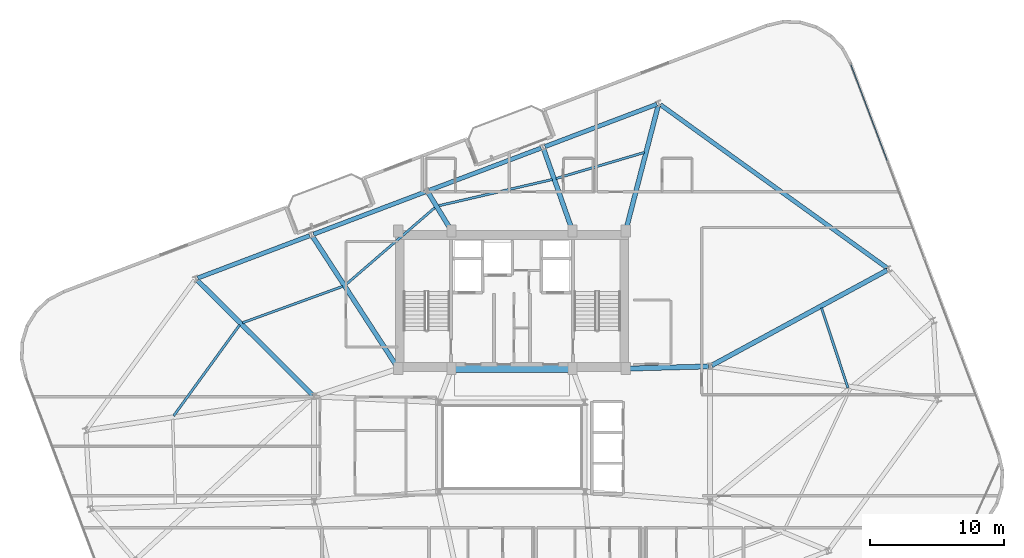
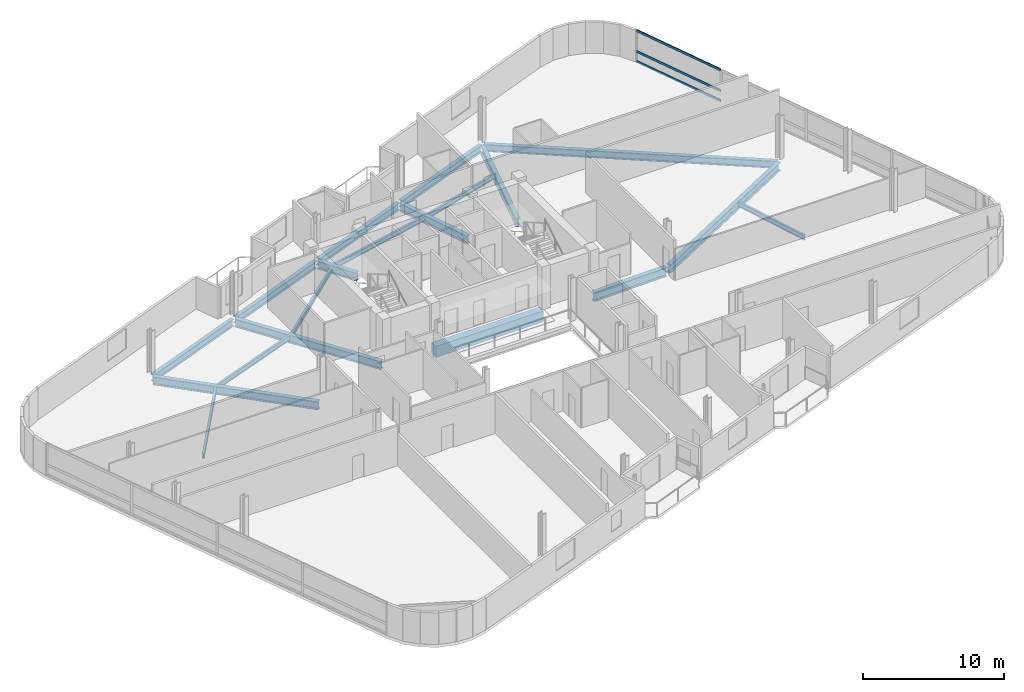
# One storey, part 11 of 24: 19 beams, 3 members, 1 element without a shape of its own.
"""IFC4 building model written with IfcOpenShell, lengths in metres."""

from ifc_helpers import new_model, si_unit, direction, frame, origin, origin_2d, place, context, subcontext, project, spatial, rectangle, hollow_rectangle, i_section, extrude, material, layer, layer_set, material_profile, profile_set, type_object, element, aggregate, save


model = new_model("IFC4")

# Units and contexts
model_context = context("Model", 3, precision=1e-05, world=origin(), true_north=direction((0.0, 1.0)))
body_context = subcontext(model_context, "Body", "Model", "MODEL_VIEW")
ifc_project = project(units=[si_unit("LENGTHUNIT", "METRE"), si_unit("AREAUNIT", "SQUARE_METRE"), si_unit("VOLUMEUNIT", "CUBIC_METRE"), si_unit("PLANEANGLEUNIT", "RADIAN"), si_unit("MASSUNIT", "GRAM", prefix="KILO")], contexts=[model_context])

# Site, building, storey
site_placement = place(None, origin())
site = spatial("IfcSite", under=ifc_project, at=site_placement, CompositionType="ELEMENT")
building_placement = place(site_placement, origin())
building = spatial("IfcBuilding", under=site, at=building_placement, Name="Varnelok Gate Tower", CompositionType="ELEMENT")
storey_placement = place(building_placement, frame((0.0, 0.0, 242.300048828125)))
storey = spatial("IfcBuildingStorey", under=building, at=storey_placement, Name="L62", CompositionType="ELEMENT", Elevation=242.300048828125)

# Beams
ifc_material_1 = material(Name="Structural Steel ASTM A992 Grade 50", Category="steel")
ifc_material_profile_1 = material_profile(ifc_material_1, i_section(OverallWidth=0.180908203125, OverallDepth=0.4169921875, WebThickness=0.010986328125, FlangeThickness=0.018310546875, FilletRadius=0.013916015625, at=origin_2d()), Name="W16X57")
ifc_profile_set_1 = profile_set([ifc_material_profile_1], Name="Structural Steel ASTM A992 Grade 50")
beam_type_1 = type_object("IfcBeamType", Name="BM-JST-W16X57", PredefinedType="JOIST", material=ifc_profile_set_1)
beam_1_placement = place(storey_placement, frame((64.3134765625, 27.315185546875, -0.45849609375), z_axis=(-0.314411260858, 0.949286868678, 0.0), x_axis=(-0.949286868678, -0.314411260858, 0.0)))
element("IfcBeam", 1, at=beam_1_placement, inside=storey, type_object=beam_type_1, Name="L62 Sector Floor Joist 6", PredefinedType="JOIST", context=body_context, shape_type="SweptSolid", body=[
    extrude(i_section(OverallWidth=0.180908203125, OverallDepth=0.4169921875, WebThickness=0.010986328125, FlangeThickness=0.018310546875, FilletRadius=0.013916015625, at=origin_2d()), origin(), (0.0, 0.0, 1.0), 6.2919921875),
])
beam_2_placement = place(storey_placement, frame((49.097900390625, 44.913818359375, -0.45849609375), z_axis=(-0.959057966549, -0.283209845871, 0.0), x_axis=(0.283209845871, -0.959057966549, 0.0)))
element("IfcBeam", 2, at=beam_2_placement, inside=storey, type_object=beam_type_1, Name="L62 Sector Floor Joist 7", PredefinedType="JOIST", context=body_context, shape_type="SweptSolid", body=[
    extrude(i_section(OverallWidth=0.180908203125, OverallDepth=0.4169921875, WebThickness=0.010986328125, FlangeThickness=0.018310546875, FilletRadius=0.013916015625, at=origin_2d()), origin(), (0.0, 0.0, 1.0), 6.889404296875),
])
beam_3_placement = place(storey_placement, frame((42.2197265625, 42.8916015625, -0.45849609375), z_axis=(-0.974390725435, -0.224861544479, 0.0), x_axis=(0.224861544479, -0.974390725435, 0.0)))
element("IfcBeam", 3, at=beam_3_placement, inside=storey, type_object=beam_type_1, Name="L62 Sector Floor Joist 8", PredefinedType="JOIST", context=body_context, shape_type="SweptSolid", body=[
    extrude(i_section(OverallWidth=0.180908203125, OverallDepth=0.4169921875, WebThickness=0.010986328125, FlangeThickness=0.018310546875, FilletRadius=0.013916015625, at=origin_2d()), origin(), (0.0, 0.0, 1.0), 8.75),
])
beam_4_placement = place(storey_placement, frame((33.451416015625, 40.801025390625, -0.45849609375), z_axis=(-0.756477675991, -0.65401951479, 0.0), x_axis=(0.65401951479, -0.756477675991, 0.0)))
element("IfcBeam", 4, at=beam_4_placement, inside=storey, type_object=beam_type_1, Name="L62 Sector Floor Joist 9", PredefinedType="JOIST", context=body_context, shape_type="SweptSolid", body=[
    extrude(i_section(OverallWidth=0.180908203125, OverallDepth=0.4169921875, WebThickness=0.010986328125, FlangeThickness=0.018310546875, FilletRadius=0.013916015625, at=origin_2d()), origin(), (0.0, 0.0, 1.0), 8.809326171875),
])
beam_5_placement = place(storey_placement, frame((26.5498046875, 34.900146484375, -0.45849609375), z_axis=(-0.939942639177, -0.341332440673, 0.0), x_axis=(0.341332440673, -0.939942639177, 0.0)))
element("IfcBeam", 5, at=beam_5_placement, inside=storey, type_object=beam_type_1, Name="L62 Sector Floor Joist 10", PredefinedType="JOIST", context=body_context, shape_type="SweptSolid", body=[
    extrude(i_section(OverallWidth=0.180908203125, OverallDepth=0.4169921875, WebThickness=0.010986328125, FlangeThickness=0.018310546875, FilletRadius=0.013916015625, at=origin_2d()), origin(), (0.0, 0.0, 1.0), 7.972900390625),
])
beam_6_placement = place(storey_placement, frame((18.841796875, 32.017578125, -0.45849609375), z_axis=(-0.587535336543, -0.809198509831, 0.0), x_axis=(0.809198509831, -0.587535336543, 0.0)))
element("IfcBeam", 6, at=beam_6_placement, inside=storey, type_object=beam_type_1, Name="L62 Sector Floor Joist 11", PredefinedType="JOIST", context=body_context, shape_type="SweptSolid", body=[
    extrude(i_section(OverallWidth=0.180908203125, OverallDepth=0.4169921875, WebThickness=0.010986328125, FlangeThickness=0.018310546875, FilletRadius=0.013916015625, at=origin_2d()), origin(), (0.0, 0.0, 1.0), 8.397216796875),
])
ifc_material_2 = material(Name="Concrete C60/75", Category="concrete")
ifc_material_profile_2 = material_profile(ifc_material_2, rectangle(XDim=0.60009765625, YDim=0.949951171875, at=origin_2d()), Name="RC950X600")
ifc_profile_set_2 = profile_set([ifc_material_profile_2], Name="Concrete C60/75")
beam_type_2 = type_object("IfcBeamType", Name="BM-LNT-RC950", PredefinedType="LINTEL", material=ifc_profile_set_2)
beam_7_placement = place(storey_placement, frame((34.800048828125, 28.75, -0.72509765625), z_axis=(1.0, 0.0, 0.0), x_axis=(0.0, 1.0, 0.0)))
element("IfcBeam", 7, at=beam_7_placement, inside=storey, type_object=beam_type_2, Name="L62 Core-Atrium Spine Beam 7", PredefinedType="LINTEL", context=body_context, shape_type="SweptSolid", body=[
    extrude(rectangle(XDim=0.60009765625, YDim=0.949951171875, at=origin_2d()), origin(), (0.0, 0.0, 1.0), 8.800048828125),
])
ifc_material_profile_3 = material_profile(ifc_material_1, i_section(OverallWidth=0.35498046875, OverallDepth=0.696044921875, WebThickness=0.015380859375, FlangeThickness=0.02490234375, FilletRadius=0.02001953125, at=origin_2d()), Name="W27X146")
ifc_profile_set_3 = profile_set([ifc_material_profile_3], Name="Structural Steel ASTM A992 Grade 50")
beam_type_3 = type_object("IfcBeamType", Name="BM-PRI-W27X146", PredefinedType="BEAM", material=ifc_profile_set_3)
beam_8_placement = place(storey_placement, frame((54.1318359375, 28.99169921875, -0.59814453125), z_axis=(0.878855196349, 0.477088612157, 0.0), x_axis=(-0.477088612157, 0.878855196349, 0.0)))
element("IfcBeam", 8, at=beam_8_placement, inside=storey, type_object=beam_type_3, Name="L62 Radial Floor Girder 8", PredefinedType="BEAM", context=body_context, shape_type="SweptSolid", body=[
    extrude(i_section(OverallWidth=0.35498046875, OverallDepth=0.696044921875, WebThickness=0.015380859375, FlangeThickness=0.02490234375, FilletRadius=0.02001953125, at=origin_2d()), origin(), (0.0, 0.0, 1.0), 14.91650390625),
])
beam_9_placement = place(storey_placement, frame((47.73779296875, 39.1953125, -0.59814453125), z_axis=(0.251175366301, 0.967941597083, 0.0), x_axis=(-0.967941597083, 0.251175366301, 0.0)))
element("IfcBeam", 9, at=beam_9_placement, inside=storey, type_object=beam_type_3, Name="L62 Radial Floor Girder 9", PredefinedType="BEAM", context=body_context, shape_type="SweptSolid", body=[
    extrude(i_section(OverallWidth=0.35498046875, OverallDepth=0.696044921875, WebThickness=0.015380859375, FlangeThickness=0.02490234375, FilletRadius=0.02001953125, at=origin_2d()), origin(), (0.0, 0.0, 1.0), 9.537109375),
])
beam_10_placement = place(storey_placement, frame((43.670166015625, 39.19140625, -0.59814453125), z_axis=(-0.332145441042, 0.943228183419, 0.0), x_axis=(-0.943228183419, -0.332145441042, 0.0)))
element("IfcBeam", 10, at=beam_10_placement, inside=storey, type_object=beam_type_3, Name="L62 Radial Floor Girder 10", PredefinedType="BEAM", context=body_context, shape_type="SweptSolid", body=[
    extrude(i_section(OverallWidth=0.35498046875, OverallDepth=0.696044921875, WebThickness=0.015380859375, FlangeThickness=0.02490234375, FilletRadius=0.02001953125, at=origin_2d()), origin(), (0.0, 0.0, 1.0), 6.32275390625),
])
beam_11_placement = place(storey_placement, frame((34.60205078125, 39.177978515625, -0.59814453125), z_axis=(-0.520275699177, 0.853998358808, 0.0), x_axis=(-0.853998358808, -0.520275699177, 0.0)))
element("IfcBeam", 11, at=beam_11_placement, inside=storey, type_object=beam_type_3, Name="L62 Radial Floor Girder 11", PredefinedType="BEAM", context=body_context, shape_type="SweptSolid", body=[
    extrude(i_section(OverallWidth=0.35498046875, OverallDepth=0.696044921875, WebThickness=0.015380859375, FlangeThickness=0.02490234375, FilletRadius=0.02001953125, at=origin_2d()), origin(), (0.0, 0.0, 1.0), 3.18017578125),
])
beam_12_placement = place(storey_placement, frame((30.618408203125, 28.8759765625, -0.59814453125), z_axis=(-0.544016338938, 0.839074623004, 0.0), x_axis=(-0.839074623004, -0.544016338938, 0.0)))
element("IfcBeam", 12, at=beam_12_placement, inside=storey, type_object=beam_type_3, Name="L62 Radial Floor Girder 12", PredefinedType="BEAM", context=body_context, shape_type="SweptSolid", body=[
    extrude(i_section(OverallWidth=0.35498046875, OverallDepth=0.696044921875, WebThickness=0.015380859375, FlangeThickness=0.02490234375, FilletRadius=0.02001953125, at=origin_2d()), origin(), (0.0, 0.0, 1.0), 11.61376953125),
])
beam_13_placement = place(storey_placement, frame((24.293701171875, 26.785888671875, -0.59814453125), z_axis=(-0.708740938647, 0.705468838352, 0.0), x_axis=(-0.705468838352, -0.708740938647, 0.0)))
element("IfcBeam", 13, at=beam_13_placement, inside=storey, type_object=beam_type_3, Name="L62 Radial Floor Girder 13", PredefinedType="BEAM", context=body_context, shape_type="SweptSolid", body=[
    extrude(i_section(OverallWidth=0.35498046875, OverallDepth=0.696044921875, WebThickness=0.015380859375, FlangeThickness=0.02490234375, FilletRadius=0.02001953125, at=origin_2d()), origin(), (0.0, 0.0, 1.0), 12.161865234375),
])
ifc_material_profile_4 = material_profile(ifc_material_1, i_section(OverallWidth=0.381103515625, OverallDepth=0.77294921875, WebThickness=0.0166015625, FlangeThickness=0.027099609375, FilletRadius=0.02197265625, at=origin_2d()), Name="W30X173")
ifc_profile_set_4 = profile_set([ifc_material_profile_4], Name="Structural Steel ASTM A992 Grade 50")
beam_type_4 = type_object("IfcBeamType", Name="BM-PRI-W30X173", PredefinedType="BEAM", material=ifc_profile_set_4)
beam_14_placement = place(storey_placement, frame((47.820068359375, 28.753173828125, -0.636474609375), z_axis=(0.999635880609, 0.026983443053, 0.0), x_axis=(-0.026983443053, 0.999635880609, 0.0)))
element("IfcBeam", 14, at=beam_14_placement, inside=storey, type_object=beam_type_4, Name="L62 Core-Atrium Spine Beam 19", PredefinedType="BEAM", context=body_context, shape_type="SweptSolid", body=[
    extrude(i_section(OverallWidth=0.381103515625, OverallDepth=0.77294921875, WebThickness=0.0166015625, FlangeThickness=0.027099609375, FilletRadius=0.02197265625, at=origin_2d()), origin(), (0.0, 0.0, 1.0), 6.06201171875),
])
ifc_material_profile_5 = material_profile(ifc_material_1, i_section(OverallWidth=0.323974609375, OverallDepth=0.611083984375, WebThickness=0.0126953125, FlangeThickness=0.01904296875, FilletRadius=0.01806640625, at=origin_2d()), Name="W24X104")
ifc_profile_set_5 = profile_set([ifc_material_profile_5], Name="Structural Steel ASTM A992 Grade 50")
beam_type_5 = type_object("IfcBeamType", Name="BM-SPN-W24X104", PredefinedType="SPANDREL", material=ifc_profile_set_5)
beam_15_placement = place(storey_placement, frame((67.251220703125, 36.267333984375, -0.5556640625), z_axis=(-0.811382769408, 0.58451518501, 0.0), x_axis=(-0.58451518501, -0.811382769408, 0.0)))
element("IfcBeam", 15, at=beam_15_placement, inside=storey, type_object=beam_type_5, Name="L62 Perimeter Spandrel Beam 8", PredefinedType="SPANDREL", context=body_context, shape_type="SweptSolid", body=[
    extrude(i_section(OverallWidth=0.323974609375, OverallDepth=0.611083984375, WebThickness=0.0126953125, FlangeThickness=0.01904296875, FilletRadius=0.01806640625, at=origin_2d()), origin(), (0.0, 0.0, 1.0), 20.900634765625),
])
beam_16_placement = place(storey_placement, frame((50.03076171875, 48.518798828125, -0.5556640625), z_axis=(-0.935220356141, -0.354066216208, 0.0), x_axis=(0.354066216208, -0.935220356141, 0.0)))
element("IfcBeam", 16, at=beam_16_placement, inside=storey, type_object=beam_type_5, Name="L62 Perimeter Spandrel Beam 9", PredefinedType="SPANDREL", context=body_context, shape_type="SweptSolid", body=[
    extrude(i_section(OverallWidth=0.323974609375, OverallDepth=0.611083984375, WebThickness=0.0126953125, FlangeThickness=0.01904296875, FilletRadius=0.01806640625, at=origin_2d()), origin(), (0.0, 0.0, 1.0), 8.9501953125),
])
for number, where, z_axis, x_axis, name in (
    (17, (41.3798828125, 45.24365234375, -0.5556640625), (-0.935225969099, -0.354051389947, 0.0), (0.354051389947, -0.935225969099, 0.0), "L62 Perimeter Spandrel Beam 10"),
    (18, (32.72900390625, 41.96875, -0.5556640625), (-0.935216936382, -0.354075248928, 0.0), (0.354075248928, -0.935216936382, 0.0), "L62 Perimeter Spandrel Beam 11"),
):
    element("IfcBeam", number, at=place(storey_placement, frame(where, z_axis=z_axis, x_axis=x_axis)), inside=storey, type_object=beam_type_5, Name=name, PredefinedType="SPANDREL", context=body_context, shape_type="SweptSolid", body=[
        extrude(i_section(OverallWidth=0.323974609375, OverallDepth=0.611083984375, WebThickness=0.0126953125, FlangeThickness=0.01904296875, FilletRadius=0.01806640625, at=origin_2d()), origin(), (0.0, 0.0, 1.0), 8.949951171875),
    ])
beam_17_placement = place(storey_placement, frame((24.078369140625, 38.693603515625, -0.5556640625), z_axis=(-0.935220356141, -0.354066216208, 0.0), x_axis=(0.354066216208, -0.935220356141, 0.0)))
element("IfcBeam", 19, at=beam_17_placement, inside=storey, type_object=beam_type_5, Name="L62 Perimeter Spandrel Beam 12", PredefinedType="SPANDREL", context=body_context, shape_type="SweptSolid", body=[
    extrude(i_section(OverallWidth=0.323974609375, OverallDepth=0.611083984375, WebThickness=0.0126953125, FlangeThickness=0.01904296875, FilletRadius=0.01806640625, at=origin_2d()), origin(), (0.0, 0.0, 1.0), 8.9501953125),
])

# Curtain wall, members
ifc_material_3 = material(Name="Anodized Aluminum Alloy 6063-T6", Category="aluminium")
ifc_layer = layer(ifc_material_3, 0.179931640625)
ifc_layer_set = layer_set([ifc_layer], Name="Anodized Aluminum Alloy 6063-T6")
curtain_wall_type = type_object("IfcCurtainWallType", Name="CW4-RESIDENCE-VISION", PredefinedType="USERDEFINED", material=ifc_layer_set)
curtain_wall_placement = place(storey_placement, origin())
curtain_wall = element("IfcCurtainWall", 20, at=curtain_wall_placement, inside=storey, type_object=curtain_wall_type, Name="L62 East End Vision Curtain Wall", ObjectType="UNITISED CURTAIN WALL", PredefinedType="USERDEFINED")
ifc_material_profile_6 = material_profile(ifc_material_3, hollow_rectangle(XDim=0.074951171875, YDim=0.199951171875, WallThickness=0.00390625, at=origin_2d()), Name="ALU200X75X4")
ifc_profile_set_6 = profile_set([ifc_material_profile_6], Name="Anodized Aluminum Alloy 6063-T6")
member_type = type_object("IfcMemberType", Name="CW-TRAN-200", PredefinedType="USERDEFINED", material=ifc_profile_set_6)
member_1_placement = place(storey_placement, frame((64.528076171875, 51.4892578125, 0.037353515625), z_axis=(0.354073041953, -0.935217771945, 0.0), x_axis=(0.935217771945, 0.354073041953, 0.0)))
member_1 = element("IfcMember", 21, at=member_1_placement, type_object=member_type, Name="CW4 transom 1.1", ObjectType="TRANSOM", PredefinedType="USERDEFINED", context=body_context, shape_type="SweptSolid", body=[
    extrude(hollow_rectangle(XDim=0.074951171875, YDim=0.199951171875, WallThickness=0.00390625, at=origin_2d()), origin(), (0.0, 0.0, 1.0), 7.6875),
])
member_2_placement = place(storey_placement, frame((64.528076171875, 51.4892578125, 0.89990234375), z_axis=(0.354073041953, -0.935217771945, 0.0), x_axis=(0.935217771945, 0.354073041953, 0.0)))
member_2 = element("IfcMember", 22, at=member_2_placement, type_object=member_type, Name="CW4 transom 1.2", ObjectType="TRANSOM", PredefinedType="USERDEFINED", context=body_context, shape_type="SweptSolid", body=[
    extrude(hollow_rectangle(XDim=0.074951171875, YDim=0.199951171875, WallThickness=0.00390625, at=origin_2d()), origin(), (0.0, 0.0, 1.0), 7.6875),
])
member_3_placement = place(storey_placement, frame((64.528076171875, 51.4892578125, 2.6923828125), z_axis=(0.354073041953, -0.935217771945, 0.0), x_axis=(0.935217771945, 0.354073041953, 0.0)))
member_3 = element("IfcMember", 23, at=member_3_placement, type_object=member_type, Name="CW4 transom 1.3", ObjectType="TRANSOM", PredefinedType="USERDEFINED", context=body_context, shape_type="SweptSolid", body=[
    extrude(hollow_rectangle(XDim=0.074951171875, YDim=0.199951171875, WallThickness=0.00390625, at=origin_2d()), origin(), (0.0, 0.0, 1.0), 7.6875),
])
aggregate(curtain_wall, [member_1, member_2, member_3])

save(model, "model.ifc")
